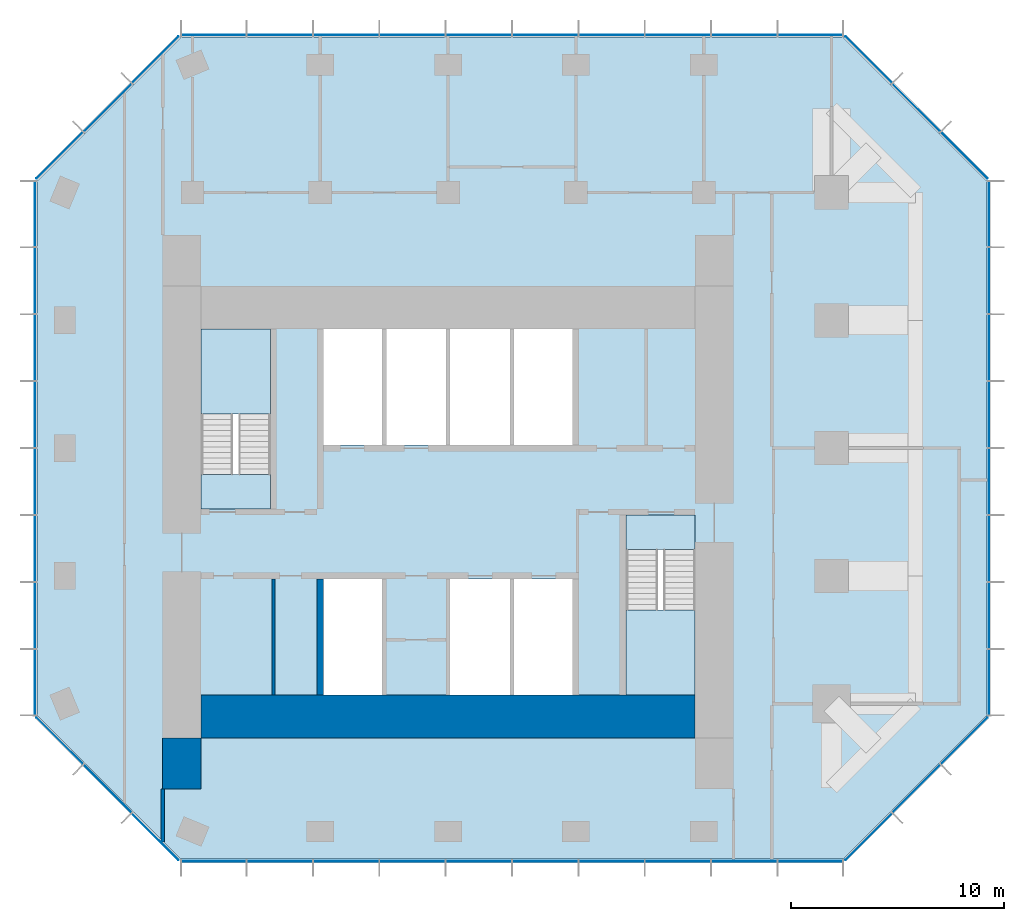
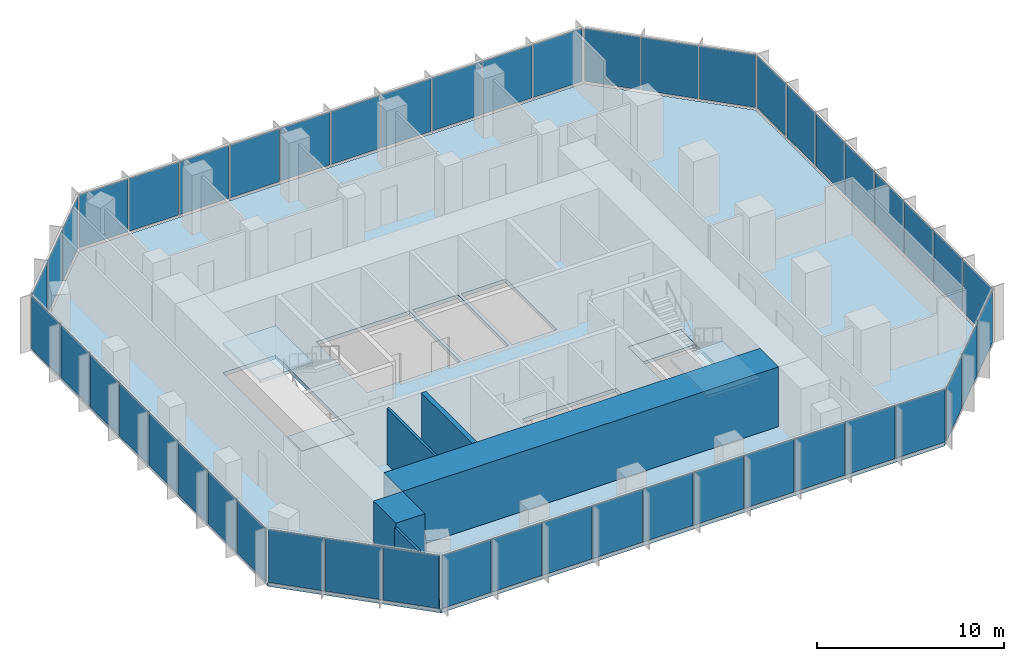
# One storey, part 7 of 10: 48 plates, 5 slabs, 5 walls, 10 elements without a shape of their own.
"""IFC4 building model written with IfcOpenShell, lengths in metres."""

from ifc_helpers import new_model, si_unit, direction, frame, frame_2d, origin, origin_2d, place, context, subcontext, project, spatial, polyline, rectangle, outline, extrude, material, layer, layer_set, type_object, element, aggregate, save


model = new_model("IFC4")

# Units and contexts
model_context = context("Model", 3, precision=1e-05, world=origin(), true_north=direction((0.0, 1.0)))
body_context = subcontext(model_context, "Body", "Model", "MODEL_VIEW")
ifc_project = project(units=[si_unit("LENGTHUNIT", "METRE"), si_unit("AREAUNIT", "SQUARE_METRE"), si_unit("VOLUMEUNIT", "CUBIC_METRE"), si_unit("PLANEANGLEUNIT", "RADIAN"), si_unit("MASSUNIT", "GRAM", prefix="KILO")], contexts=[model_context])

# Site, building, storey
site_placement = place(None, origin())
site = spatial("IfcSite", under=ifc_project, at=site_placement, CompositionType="ELEMENT")
building_placement = place(site_placement, origin())
building = spatial("IfcBuilding", under=site, at=building_placement, Name="Highveld Stack Headquarters", CompositionType="ELEMENT")
storey_placement = place(building_placement, frame((0.0, 0.0, 245.0)))
storey = spatial("IfcBuildingStorey", under=building, at=storey_placement, Name="L60", CompositionType="ELEMENT", Elevation=245.0)

# Curtain wall, plates
ifc_material_1 = material(Name="Aluminium bronze anodised", Category="aluminium")
ifc_layer_1 = layer(ifc_material_1, 0.199951171875)
ifc_layer_set_1 = layer_set([ifc_layer_1], Name="Aluminium bronze anodised")
curtain_wall_type = type_object("IfcCurtainWallType", Name="CW6 SKY LOBBY UNITISED CURTAIN WALL", PredefinedType="NOTDEFINED", material=ifc_layer_set_1)
curtain_wall_1_placement = place(storey_placement, origin())
curtain_wall_1 = element("IfcCurtainWall", 1, at=curtain_wall_1_placement, inside=storey, type_object=curtain_wall_type, Name="Curtain wall CW6 L60 S", PredefinedType="NOTDEFINED")
ifc_material_2 = material(Name="Glass clear low-iron double glazed unit", Category="glass")
ifc_layer_2 = layer(ifc_material_2, 0.031982421875)
ifc_layer_set_2 = layer_set([ifc_layer_2], Name="Glass clear low-iron double glazed unit")
plate_type = type_object("IfcPlateType", Name="CW6 PANEL CLEAR LOW-IRON DOUBLE GLAZED UNIT", PredefinedType="CURTAIN_PANEL", material=ifc_layer_set_2)
plate_1_placement = place(storey_placement, frame((-5.005615234375, -13.39990234375, 0.10009765625), z_axis=(0.0, 0.0, 1.0), x_axis=(1.0, 0.0, 0.0)))
plate_1 = element("IfcPlate", 2, at=plate_1_placement, type_object=plate_type, Name="CW6 panel L60 1.1", PredefinedType="CURTAIN_PANEL", context=body_context, shape_type="SweptSolid", body=[
    extrude(rectangle(XDim=3.0185546875, YDim=0.031982421875, at=origin_2d()), origin(), (0.0, 0.0, 1.0), 3.449951171875),
])
plate_2_placement = place(storey_placement, frame((-1.906005859375, -13.39990234375, 0.10009765625), z_axis=(0.0, 0.0, 1.0), x_axis=(1.0, 0.0, 0.0)))
plate_2 = element("IfcPlate", 3, at=plate_2_placement, type_object=plate_type, Name="CW6 panel L60 2.1", PredefinedType="CURTAIN_PANEL", context=body_context, shape_type="SweptSolid", body=[
    extrude(rectangle(XDim=3.051025390625, YDim=0.031982421875, at=origin_2d()), origin(), (0.0, 0.0, 1.0), 3.449951171875),
])
plate_3_placement = place(storey_placement, frame((1.2099609375, -13.39990234375, 0.10009765625), z_axis=(0.0, 0.0, 1.0), x_axis=(1.0, 0.0, 0.0)))
plate_3 = element("IfcPlate", 4, at=plate_3_placement, type_object=plate_type, Name="CW6 panel L60 3.1", PredefinedType="CURTAIN_PANEL", context=body_context, shape_type="SweptSolid", body=[
    extrude(rectangle(XDim=3.051025390625, YDim=0.031982421875, at=origin_2d()), origin(), (0.0, 0.0, 1.0), 3.449951171875),
])
plate_4_placement = place(storey_placement, frame((4.325927734375, -13.39990234375, 0.10009765625), z_axis=(0.0, 0.0, 1.0), x_axis=(1.0, 0.0, 0.0)))
plate_4 = element("IfcPlate", 5, at=plate_4_placement, type_object=plate_type, Name="CW6 panel L60 4.1", PredefinedType="CURTAIN_PANEL", context=body_context, shape_type="SweptSolid", body=[
    extrude(rectangle(XDim=3.051025390625, YDim=0.031982421875, at=origin_2d()), origin(), (0.0, 0.0, 1.0), 3.449951171875),
])
plate_5_placement = place(storey_placement, frame((7.44189453125, -13.39990234375, 0.10009765625), z_axis=(0.0, 0.0, 1.0), x_axis=(1.0, 0.0, 0.0)))
plate_5 = element("IfcPlate", 6, at=plate_5_placement, type_object=plate_type, Name="CW6 panel L60 5.1", PredefinedType="CURTAIN_PANEL", context=body_context, shape_type="SweptSolid", body=[
    extrude(rectangle(XDim=3.051025390625, YDim=0.031982421875, at=origin_2d()), origin(), (0.0, 0.0, 1.0), 3.449951171875),
])
plate_6_placement = place(storey_placement, frame((10.55810546875, -13.39990234375, 0.10009765625), z_axis=(0.0, 0.0, 1.0), x_axis=(1.0, 0.0, 0.0)))
plate_6 = element("IfcPlate", 7, at=plate_6_placement, type_object=plate_type, Name="CW6 panel L60 6.1", PredefinedType="CURTAIN_PANEL", context=body_context, shape_type="SweptSolid", body=[
    extrude(rectangle(XDim=3.051025390625, YDim=0.031982421875, at=origin_2d()), origin(), (0.0, 0.0, 1.0), 3.449951171875),
])
plate_7_placement = place(storey_placement, frame((13.674072265625, -13.39990234375, 0.10009765625), z_axis=(0.0, 0.0, 1.0), x_axis=(1.0, 0.0, 0.0)))
plate_7 = element("IfcPlate", 8, at=plate_7_placement, type_object=plate_type, Name="CW6 panel L60 7.1", PredefinedType="CURTAIN_PANEL", context=body_context, shape_type="SweptSolid", body=[
    extrude(rectangle(XDim=3.051025390625, YDim=0.031982421875, at=origin_2d()), origin(), (0.0, 0.0, 1.0), 3.449951171875),
])
plate_8_placement = place(storey_placement, frame((16.789794921875, -13.39990234375, 0.10009765625), z_axis=(0.0, 0.0, 1.0), x_axis=(1.0, 0.0, 0.0)))
plate_8 = element("IfcPlate", 9, at=plate_8_placement, type_object=plate_type, Name="CW6 panel L60 8.1", PredefinedType="CURTAIN_PANEL", context=body_context, shape_type="SweptSolid", body=[
    extrude(rectangle(XDim=3.051025390625, YDim=0.031982421875, at=origin_2d()), origin(), (0.0, 0.0, 1.0), 3.449951171875),
])
plate_9_placement = place(storey_placement, frame((19.906005859375, -13.39990234375, 0.10009765625), z_axis=(0.0, 0.0, 1.0), x_axis=(1.0, 0.0, 0.0)))
plate_9 = element("IfcPlate", 10, at=plate_9_placement, type_object=plate_type, Name="CW6 panel L60 9.1", PredefinedType="CURTAIN_PANEL", context=body_context, shape_type="SweptSolid", body=[
    extrude(rectangle(XDim=3.051025390625, YDim=0.031982421875, at=origin_2d()), origin(), (0.0, 0.0, 1.0), 3.449951171875),
])
plate_10_placement = place(storey_placement, frame((23.005615234375, -13.39990234375, 0.10009765625), z_axis=(0.0, 0.0, 1.0), x_axis=(1.0, 0.0, 0.0)))
plate_10 = element("IfcPlate", 11, at=plate_10_placement, type_object=plate_type, Name="CW6 panel L60 10.1", PredefinedType="CURTAIN_PANEL", context=body_context, shape_type="SweptSolid", body=[
    extrude(rectangle(XDim=3.0185546875, YDim=0.031982421875, at=origin_2d()), origin(), (0.0, 0.0, 1.0), 3.449951171875),
])
aggregate(curtain_wall_1, [plate_1, plate_2, plate_3, plate_4, plate_5, plate_6, plate_7, plate_8, plate_9, plate_10])

curtain_wall_2_placement = place(storey_placement, origin())
curtain_wall_2 = element("IfcCurtainWall", 12, at=curtain_wall_2_placement, inside=storey, type_object=curtain_wall_type, Name="Curtain wall CW6 L60 SE", PredefinedType="NOTDEFINED")
plate_11_placement = place(storey_placement, frame((25.740478515625, -12.239501953125, 0.10009765625), z_axis=(0.0, 0.0, 1.0), x_axis=(0.707106781187, 0.707106781187, 0.0)))
plate_11 = element("IfcPlate", 13, at=plate_11_placement, type_object=plate_type, Name="CW6 panel L60 1.1", PredefinedType="CURTAIN_PANEL", context=body_context, shape_type="SweptSolid", body=[
    extrude(rectangle(XDim=3.08251953125, YDim=0.031982421875, at=origin_2d()), origin(), (0.0, 0.0, 1.0), 3.449951171875),
])
plate_12_placement = place(storey_placement, frame((27.989990234375, -9.989990234375, 0.10009765625), z_axis=(0.0, 0.0, 1.0), x_axis=(0.707106781187, 0.707106781187, 0.0)))
plate_12 = element("IfcPlate", 14, at=plate_12_placement, type_object=plate_type, Name="CW6 panel L60 2.1", PredefinedType="CURTAIN_PANEL", context=body_context, shape_type="SweptSolid", body=[
    extrude(rectangle(XDim=3.14990234375, YDim=0.031982421875, at=origin_2d()), origin(), (0.0, 0.0, 1.0), 3.449951171875),
])
plate_13_placement = place(storey_placement, frame((30.239501953125, -7.740478515625, 0.10009765625), z_axis=(0.0, 0.0, 1.0), x_axis=(0.707106781187, 0.707106781187, 0.0)))
plate_13 = element("IfcPlate", 15, at=plate_13_placement, type_object=plate_type, Name="CW6 panel L60 3.1", PredefinedType="CURTAIN_PANEL", context=body_context, shape_type="SweptSolid", body=[
    extrude(rectangle(XDim=3.08251953125, YDim=0.031982421875, at=origin_2d()), origin(), (0.0, 0.0, 1.0), 3.449951171875),
])
aggregate(curtain_wall_2, [plate_11, plate_12, plate_13])

curtain_wall_3_placement = place(storey_placement, origin())
curtain_wall_3 = element("IfcCurtainWall", 16, at=curtain_wall_3_placement, inside=storey, type_object=curtain_wall_type, Name="Curtain wall CW6 L60 E", PredefinedType="NOTDEFINED")
plate_14_placement = place(storey_placement, frame((31.39990234375, -4.9912109375, 0.10009765625), z_axis=(0.0, 0.0, 1.0), x_axis=(0.0, 1.0, 0.0)))
plate_14 = element("IfcPlate", 17, at=plate_14_placement, type_object=plate_type, Name="CW6 panel L60 1.1", PredefinedType="CURTAIN_PANEL", context=body_context, shape_type="SweptSolid", body=[
    extrude(rectangle(XDim=3.047607421875, YDim=0.031982421875, at=origin_2d()), origin(), (0.0, 0.0, 1.0), 3.449951171875),
])
plate_15_placement = place(storey_placement, frame((31.39990234375, -1.8623046875, 0.10009765625), z_axis=(0.0, 0.0, 1.0), x_axis=(0.0, 1.0, 0.0)))
plate_15 = element("IfcPlate", 18, at=plate_15_placement, type_object=plate_type, Name="CW6 panel L60 2.1", PredefinedType="CURTAIN_PANEL", context=body_context, shape_type="SweptSolid", body=[
    extrude(rectangle(XDim=3.080078125, YDim=0.031982421875, at=origin_2d()), origin(), (0.0, 0.0, 1.0), 3.449951171875),
])
plate_16_placement = place(storey_placement, frame((31.39990234375, 1.282470703125, 0.10009765625), z_axis=(0.0, 0.0, 1.0), x_axis=(0.0, 1.0, 0.0)))
plate_16 = element("IfcPlate", 19, at=plate_16_placement, type_object=plate_type, Name="CW6 panel L60 3.1", PredefinedType="CURTAIN_PANEL", context=body_context, shape_type="SweptSolid", body=[
    extrude(rectangle(XDim=3.080078125, YDim=0.031982421875, at=origin_2d()), origin(), (0.0, 0.0, 1.0), 3.449951171875),
])
plate_17_placement = place(storey_placement, frame((31.39990234375, 4.427490234375, 0.10009765625), z_axis=(0.0, 0.0, 1.0), x_axis=(0.0, 1.0, 0.0)))
plate_17 = element("IfcPlate", 20, at=plate_17_placement, type_object=plate_type, Name="CW6 panel L60 4.1", PredefinedType="CURTAIN_PANEL", context=body_context, shape_type="SweptSolid", body=[
    extrude(rectangle(XDim=3.080078125, YDim=0.031982421875, at=origin_2d()), origin(), (0.0, 0.0, 1.0), 3.449951171875),
])
plate_18_placement = place(storey_placement, frame((31.39990234375, 7.572509765625, 0.10009765625), z_axis=(0.0, 0.0, 1.0), x_axis=(0.0, 1.0, 0.0)))
plate_18 = element("IfcPlate", 21, at=plate_18_placement, type_object=plate_type, Name="CW6 panel L60 5.1", PredefinedType="CURTAIN_PANEL", context=body_context, shape_type="SweptSolid", body=[
    extrude(rectangle(XDim=3.080078125, YDim=0.031982421875, at=origin_2d()), origin(), (0.0, 0.0, 1.0), 3.449951171875),
])
plate_19_placement = place(storey_placement, frame((31.39990234375, 10.717529296875, 0.10009765625), z_axis=(0.0, 0.0, 1.0), x_axis=(0.0, 1.0, 0.0)))
plate_19 = element("IfcPlate", 22, at=plate_19_placement, type_object=plate_type, Name="CW6 panel L60 6.1", PredefinedType="CURTAIN_PANEL", context=body_context, shape_type="SweptSolid", body=[
    extrude(rectangle(XDim=3.080078125, YDim=0.031982421875, at=origin_2d()), origin(), (0.0, 0.0, 1.0), 3.449951171875),
])
plate_20_placement = place(storey_placement, frame((31.39990234375, 13.8623046875, 0.10009765625), z_axis=(0.0, 0.0, 1.0), x_axis=(0.0, 1.0, 0.0)))
plate_20 = element("IfcPlate", 23, at=plate_20_placement, type_object=plate_type, Name="CW6 panel L60 7.1", PredefinedType="CURTAIN_PANEL", context=body_context, shape_type="SweptSolid", body=[
    extrude(rectangle(XDim=3.080078125, YDim=0.031982421875, at=origin_2d()), origin(), (0.0, 0.0, 1.0), 3.449951171875),
])
plate_21_placement = place(storey_placement, frame((31.39990234375, 16.9912109375, 0.10009765625), z_axis=(0.0, 0.0, 1.0), x_axis=(0.0, 1.0, 0.0)))
plate_21 = element("IfcPlate", 24, at=plate_21_placement, type_object=plate_type, Name="CW6 panel L60 8.1", PredefinedType="CURTAIN_PANEL", context=body_context, shape_type="SweptSolid", body=[
    extrude(rectangle(XDim=3.047607421875, YDim=0.031982421875, at=origin_2d()), origin(), (0.0, 0.0, 1.0), 3.449951171875),
])
aggregate(curtain_wall_3, [plate_14, plate_15, plate_16, plate_17, plate_18, plate_19, plate_20, plate_21])

curtain_wall_4_placement = place(storey_placement, origin())
curtain_wall_4 = element("IfcCurtainWall", 25, at=curtain_wall_4_placement, inside=storey, type_object=curtain_wall_type, Name="Curtain wall CW6 L60 NE", PredefinedType="NOTDEFINED")
plate_22_placement = place(storey_placement, frame((30.239501953125, 19.740478515625, 0.10009765625), z_axis=(0.0, 0.0, 1.0), x_axis=(-0.707106781187, 0.707106781187, 0.0)))
plate_22 = element("IfcPlate", 26, at=plate_22_placement, type_object=plate_type, Name="CW6 panel L60 1.1", PredefinedType="CURTAIN_PANEL", context=body_context, shape_type="SweptSolid", body=[
    extrude(rectangle(XDim=3.08251953125, YDim=0.031982421875, at=origin_2d()), origin(), (0.0, 0.0, 1.0), 3.449951171875),
])
plate_23_placement = place(storey_placement, frame((27.989990234375, 21.989990234375, 0.10009765625), z_axis=(0.0, 0.0, 1.0), x_axis=(-0.707106781187, 0.707106781187, 0.0)))
plate_23 = element("IfcPlate", 27, at=plate_23_placement, type_object=plate_type, Name="CW6 panel L60 2.1", PredefinedType="CURTAIN_PANEL", context=body_context, shape_type="SweptSolid", body=[
    extrude(rectangle(XDim=3.14990234375, YDim=0.031982421875, at=origin_2d()), origin(), (0.0, 0.0, 1.0), 3.449951171875),
])
plate_24_placement = place(storey_placement, frame((25.740478515625, 24.239501953125, 0.10009765625), z_axis=(0.0, 0.0, 1.0), x_axis=(-0.707106781187, 0.707106781187, 0.0)))
plate_24 = element("IfcPlate", 28, at=plate_24_placement, type_object=plate_type, Name="CW6 panel L60 3.1", PredefinedType="CURTAIN_PANEL", context=body_context, shape_type="SweptSolid", body=[
    extrude(rectangle(XDim=3.08251953125, YDim=0.031982421875, at=origin_2d()), origin(), (0.0, 0.0, 1.0), 3.449951171875),
])
aggregate(curtain_wall_4, [plate_22, plate_23, plate_24])

curtain_wall_5_placement = place(storey_placement, origin())
curtain_wall_5 = element("IfcCurtainWall", 29, at=curtain_wall_5_placement, inside=storey, type_object=curtain_wall_type, Name="Curtain wall CW6 L60 N", PredefinedType="NOTDEFINED")
plate_25_placement = place(storey_placement, frame((23.005615234375, 25.39990234375, 0.10009765625), z_axis=(0.0, 0.0, 1.0), x_axis=(-1.0, 0.0, 0.0)))
plate_25 = element("IfcPlate", 30, at=plate_25_placement, type_object=plate_type, Name="CW6 panel L60 1.1", PredefinedType="CURTAIN_PANEL", context=body_context, shape_type="SweptSolid", body=[
    extrude(rectangle(XDim=3.0185546875, YDim=0.031982421875, at=origin_2d()), origin(), (0.0, 0.0, 1.0), 3.449951171875),
])
plate_26_placement = place(storey_placement, frame((19.906005859375, 25.39990234375, 0.10009765625), z_axis=(0.0, 0.0, 1.0), x_axis=(-1.0, 0.0, 0.0)))
plate_26 = element("IfcPlate", 31, at=plate_26_placement, type_object=plate_type, Name="CW6 panel L60 2.1", PredefinedType="CURTAIN_PANEL", context=body_context, shape_type="SweptSolid", body=[
    extrude(rectangle(XDim=3.051025390625, YDim=0.031982421875, at=origin_2d()), origin(), (0.0, 0.0, 1.0), 3.449951171875),
])
plate_27_placement = place(storey_placement, frame((16.7900390625, 25.39990234375, 0.10009765625), z_axis=(0.0, 0.0, 1.0), x_axis=(-1.0, 0.0, 0.0)))
plate_27 = element("IfcPlate", 32, at=plate_27_placement, type_object=plate_type, Name="CW6 panel L60 3.1", PredefinedType="CURTAIN_PANEL", context=body_context, shape_type="SweptSolid", body=[
    extrude(rectangle(XDim=3.051025390625, YDim=0.031982421875, at=origin_2d()), origin(), (0.0, 0.0, 1.0), 3.449951171875),
])
plate_28_placement = place(storey_placement, frame((13.674072265625, 25.39990234375, 0.10009765625), z_axis=(0.0, 0.0, 1.0), x_axis=(-1.0, 0.0, 0.0)))
plate_28 = element("IfcPlate", 33, at=plate_28_placement, type_object=plate_type, Name="CW6 panel L60 4.1", PredefinedType="CURTAIN_PANEL", context=body_context, shape_type="SweptSolid", body=[
    extrude(rectangle(XDim=3.051025390625, YDim=0.031982421875, at=origin_2d()), origin(), (0.0, 0.0, 1.0), 3.449951171875),
])
plate_29_placement = place(storey_placement, frame((10.55810546875, 25.39990234375, 0.10009765625), z_axis=(0.0, 0.0, 1.0), x_axis=(-1.0, 0.0, 0.0)))
plate_29 = element("IfcPlate", 34, at=plate_29_placement, type_object=plate_type, Name="CW6 panel L60 5.1", PredefinedType="CURTAIN_PANEL", context=body_context, shape_type="SweptSolid", body=[
    extrude(rectangle(XDim=3.051025390625, YDim=0.031982421875, at=origin_2d()), origin(), (0.0, 0.0, 1.0), 3.449951171875),
])
plate_30_placement = place(storey_placement, frame((7.44189453125, 25.39990234375, 0.10009765625), z_axis=(0.0, 0.0, 1.0), x_axis=(-1.0, 0.0, 0.0)))
plate_30 = element("IfcPlate", 35, at=plate_30_placement, type_object=plate_type, Name="CW6 panel L60 6.1", PredefinedType="CURTAIN_PANEL", context=body_context, shape_type="SweptSolid", body=[
    extrude(rectangle(XDim=3.051025390625, YDim=0.031982421875, at=origin_2d()), origin(), (0.0, 0.0, 1.0), 3.449951171875),
])
plate_31_placement = place(storey_placement, frame((4.325927734375, 25.39990234375, 0.10009765625), z_axis=(0.0, 0.0, 1.0), x_axis=(-1.0, 0.0, 0.0)))
plate_31 = element("IfcPlate", 36, at=plate_31_placement, type_object=plate_type, Name="CW6 panel L60 7.1", PredefinedType="CURTAIN_PANEL", context=body_context, shape_type="SweptSolid", body=[
    extrude(rectangle(XDim=3.051025390625, YDim=0.031982421875, at=origin_2d()), origin(), (0.0, 0.0, 1.0), 3.449951171875),
])
plate_32_placement = place(storey_placement, frame((1.210205078125, 25.39990234375, 0.10009765625), z_axis=(0.0, 0.0, 1.0), x_axis=(-1.0, 0.0, 0.0)))
plate_32 = element("IfcPlate", 37, at=plate_32_placement, type_object=plate_type, Name="CW6 panel L60 8.1", PredefinedType="CURTAIN_PANEL", context=body_context, shape_type="SweptSolid", body=[
    extrude(rectangle(XDim=3.051025390625, YDim=0.031982421875, at=origin_2d()), origin(), (0.0, 0.0, 1.0), 3.449951171875),
])
plate_33_placement = place(storey_placement, frame((-1.906005859375, 25.39990234375, 0.10009765625), z_axis=(0.0, 0.0, 1.0), x_axis=(-1.0, 0.0, 0.0)))
plate_33 = element("IfcPlate", 38, at=plate_33_placement, type_object=plate_type, Name="CW6 panel L60 9.1", PredefinedType="CURTAIN_PANEL", context=body_context, shape_type="SweptSolid", body=[
    extrude(rectangle(XDim=3.051025390625, YDim=0.031982421875, at=origin_2d()), origin(), (0.0, 0.0, 1.0), 3.449951171875),
])
plate_34_placement = place(storey_placement, frame((-5.005615234375, 25.39990234375, 0.10009765625), z_axis=(0.0, 0.0, 1.0), x_axis=(-1.0, 0.0, 0.0)))
plate_34 = element("IfcPlate", 39, at=plate_34_placement, type_object=plate_type, Name="CW6 panel L60 10.1", PredefinedType="CURTAIN_PANEL", context=body_context, shape_type="SweptSolid", body=[
    extrude(rectangle(XDim=3.0185546875, YDim=0.031982421875, at=origin_2d()), origin(), (0.0, 0.0, 1.0), 3.449951171875),
])
aggregate(curtain_wall_5, [plate_25, plate_26, plate_27, plate_28, plate_29, plate_30, plate_31, plate_32, plate_33, plate_34])

curtain_wall_6_placement = place(storey_placement, origin())
curtain_wall_6 = element("IfcCurtainWall", 40, at=curtain_wall_6_placement, inside=storey, type_object=curtain_wall_type, Name="Curtain wall CW6 L60 NW", PredefinedType="NOTDEFINED")
plate_35_placement = place(storey_placement, frame((-7.740478515625, 24.239501953125, 0.10009765625), z_axis=(0.0, 0.0, 1.0), x_axis=(-0.707106781187, -0.707106781187, 0.0)))
plate_35 = element("IfcPlate", 41, at=plate_35_placement, type_object=plate_type, Name="CW6 panel L60 1.1", PredefinedType="CURTAIN_PANEL", context=body_context, shape_type="SweptSolid", body=[
    extrude(rectangle(XDim=3.08251953125, YDim=0.031982421875, at=origin_2d()), origin(), (0.0, 0.0, 1.0), 3.449951171875),
])
plate_36_placement = place(storey_placement, frame((-9.989990234375, 21.989990234375, 0.10009765625), z_axis=(0.0, 0.0, 1.0), x_axis=(-0.707106781187, -0.707106781187, 0.0)))
plate_36 = element("IfcPlate", 42, at=plate_36_placement, type_object=plate_type, Name="CW6 panel L60 2.1", PredefinedType="CURTAIN_PANEL", context=body_context, shape_type="SweptSolid", body=[
    extrude(rectangle(XDim=3.14990234375, YDim=0.031982421875, at=origin_2d()), origin(), (0.0, 0.0, 1.0), 3.449951171875),
])
plate_37_placement = place(storey_placement, frame((-12.239501953125, 19.740478515625, 0.10009765625), z_axis=(0.0, 0.0, 1.0), x_axis=(-0.707106781187, -0.707106781187, 0.0)))
plate_37 = element("IfcPlate", 43, at=plate_37_placement, type_object=plate_type, Name="CW6 panel L60 3.1", PredefinedType="CURTAIN_PANEL", context=body_context, shape_type="SweptSolid", body=[
    extrude(rectangle(XDim=3.08251953125, YDim=0.031982421875, at=origin_2d()), origin(), (0.0, 0.0, 1.0), 3.449951171875),
])
aggregate(curtain_wall_6, [plate_35, plate_36, plate_37])

curtain_wall_7_placement = place(storey_placement, origin())
curtain_wall_7 = element("IfcCurtainWall", 44, at=curtain_wall_7_placement, inside=storey, type_object=curtain_wall_type, Name="Curtain wall CW6 L60 W", PredefinedType="NOTDEFINED")
plate_38_placement = place(storey_placement, frame((-13.39990234375, 16.9912109375, 0.10009765625), z_axis=(0.0, 0.0, 1.0), x_axis=(0.0, -1.0, 0.0)))
plate_38 = element("IfcPlate", 45, at=plate_38_placement, type_object=plate_type, Name="CW6 panel L60 1.1", PredefinedType="CURTAIN_PANEL", context=body_context, shape_type="SweptSolid", body=[
    extrude(rectangle(XDim=3.047607421875, YDim=0.031982421875, at=origin_2d()), origin(), (0.0, 0.0, 1.0), 3.449951171875),
])
plate_39_placement = place(storey_placement, frame((-13.39990234375, 13.8623046875, 0.10009765625), z_axis=(0.0, 0.0, 1.0), x_axis=(0.0, -1.0, 0.0)))
plate_39 = element("IfcPlate", 46, at=plate_39_placement, type_object=plate_type, Name="CW6 panel L60 2.1", PredefinedType="CURTAIN_PANEL", context=body_context, shape_type="SweptSolid", body=[
    extrude(rectangle(XDim=3.080078125, YDim=0.031982421875, at=origin_2d()), origin(), (0.0, 0.0, 1.0), 3.449951171875),
])
plate_40_placement = place(storey_placement, frame((-13.39990234375, 10.717529296875, 0.10009765625), z_axis=(0.0, 0.0, 1.0), x_axis=(0.0, -1.0, 0.0)))
plate_40 = element("IfcPlate", 47, at=plate_40_placement, type_object=plate_type, Name="CW6 panel L60 3.1", PredefinedType="CURTAIN_PANEL", context=body_context, shape_type="SweptSolid", body=[
    extrude(rectangle(XDim=3.080078125, YDim=0.031982421875, at=origin_2d()), origin(), (0.0, 0.0, 1.0), 3.449951171875),
])
plate_41_placement = place(storey_placement, frame((-13.39990234375, 7.572509765625, 0.10009765625), z_axis=(0.0, 0.0, 1.0), x_axis=(0.0, -1.0, 0.0)))
plate_41 = element("IfcPlate", 48, at=plate_41_placement, type_object=plate_type, Name="CW6 panel L60 4.1", PredefinedType="CURTAIN_PANEL", context=body_context, shape_type="SweptSolid", body=[
    extrude(rectangle(XDim=3.080078125, YDim=0.031982421875, at=origin_2d()), origin(), (0.0, 0.0, 1.0), 3.449951171875),
])
plate_42_placement = place(storey_placement, frame((-13.39990234375, 4.427490234375, 0.10009765625), z_axis=(0.0, 0.0, 1.0), x_axis=(0.0, -1.0, 0.0)))
plate_42 = element("IfcPlate", 49, at=plate_42_placement, type_object=plate_type, Name="CW6 panel L60 5.1", PredefinedType="CURTAIN_PANEL", context=body_context, shape_type="SweptSolid", body=[
    extrude(rectangle(XDim=3.080078125, YDim=0.031982421875, at=origin_2d()), origin(), (0.0, 0.0, 1.0), 3.449951171875),
])
plate_43_placement = place(storey_placement, frame((-13.39990234375, 1.282470703125, 0.10009765625), z_axis=(0.0, 0.0, 1.0), x_axis=(0.0, -1.0, 0.0)))
plate_43 = element("IfcPlate", 50, at=plate_43_placement, type_object=plate_type, Name="CW6 panel L60 6.1", PredefinedType="CURTAIN_PANEL", context=body_context, shape_type="SweptSolid", body=[
    extrude(rectangle(XDim=3.080078125, YDim=0.031982421875, at=origin_2d()), origin(), (0.0, 0.0, 1.0), 3.449951171875),
])
plate_44_placement = place(storey_placement, frame((-13.39990234375, -1.8623046875, 0.10009765625), z_axis=(0.0, 0.0, 1.0), x_axis=(0.0, -1.0, 0.0)))
plate_44 = element("IfcPlate", 51, at=plate_44_placement, type_object=plate_type, Name="CW6 panel L60 7.1", PredefinedType="CURTAIN_PANEL", context=body_context, shape_type="SweptSolid", body=[
    extrude(rectangle(XDim=3.080078125, YDim=0.031982421875, at=origin_2d()), origin(), (0.0, 0.0, 1.0), 3.449951171875),
])
plate_45_placement = place(storey_placement, frame((-13.39990234375, -4.9912109375, 0.10009765625), z_axis=(0.0, 0.0, 1.0), x_axis=(0.0, -1.0, 0.0)))
plate_45 = element("IfcPlate", 52, at=plate_45_placement, type_object=plate_type, Name="CW6 panel L60 8.1", PredefinedType="CURTAIN_PANEL", context=body_context, shape_type="SweptSolid", body=[
    extrude(rectangle(XDim=3.047607421875, YDim=0.031982421875, at=origin_2d()), origin(), (0.0, 0.0, 1.0), 3.449951171875),
])
aggregate(curtain_wall_7, [plate_38, plate_39, plate_40, plate_41, plate_42, plate_43, plate_44, plate_45])

curtain_wall_8_placement = place(storey_placement, origin())
curtain_wall_8 = element("IfcCurtainWall", 53, at=curtain_wall_8_placement, inside=storey, type_object=curtain_wall_type, Name="Curtain wall CW6 L60 SW", PredefinedType="NOTDEFINED")
plate_46_placement = place(storey_placement, frame((-12.239501953125, -7.740478515625, 0.10009765625), z_axis=(0.0, 0.0, 1.0), x_axis=(0.707106781187, -0.707106781187, 0.0)))
plate_46 = element("IfcPlate", 54, at=plate_46_placement, type_object=plate_type, Name="CW6 panel L60 1.1", PredefinedType="CURTAIN_PANEL", context=body_context, shape_type="SweptSolid", body=[
    extrude(rectangle(XDim=3.08251953125, YDim=0.031982421875, at=origin_2d()), origin(), (0.0, 0.0, 1.0), 3.449951171875),
])
plate_47_placement = place(storey_placement, frame((-9.989990234375, -9.989990234375, 0.10009765625), z_axis=(0.0, 0.0, 1.0), x_axis=(0.707106781187, -0.707106781187, 0.0)))
plate_47 = element("IfcPlate", 55, at=plate_47_placement, type_object=plate_type, Name="CW6 panel L60 2.1", PredefinedType="CURTAIN_PANEL", context=body_context, shape_type="SweptSolid", body=[
    extrude(rectangle(XDim=3.14990234375, YDim=0.031982421875, at=origin_2d()), origin(), (0.0, 0.0, 1.0), 3.449951171875),
])
plate_48_placement = place(storey_placement, frame((-7.740478515625, -12.239501953125, 0.10009765625), z_axis=(0.0, 0.0, 1.0), x_axis=(0.707106781187, -0.707106781187, 0.0)))
plate_48 = element("IfcPlate", 56, at=plate_48_placement, type_object=plate_type, Name="CW6 panel L60 3.1", PredefinedType="CURTAIN_PANEL", context=body_context, shape_type="SweptSolid", body=[
    extrude(rectangle(XDim=3.08251953125, YDim=0.031982421875, at=origin_2d()), origin(), (0.0, 0.0, 1.0), 3.449951171875),
])
aggregate(curtain_wall_8, [plate_46, plate_47, plate_48])

# Slab
ifc_material_3 = material(Name="Concrete C60/75", Category="concrete")
ifc_layer_3 = layer(ifc_material_3, 0.25)
ifc_layer_set_3 = layer_set([ifc_layer_3], Name="Concrete C60/75")
slab_type_1 = type_object("IfcSlabType", Name="PT FLAT SLAB 250", PredefinedType="FLOOR", material=ifc_layer_set_3)
slab_1_placement = place(storey_placement, frame((0.0, 0.0, -0.25)))
element("IfcSlab", 57, at=slab_1_placement, inside=storey, type_object=slab_type_1, Name="Floor slab L60", PredefinedType="FLOOR", context=body_context, shape_type="SweptSolid", body=[
    extrude(outline(polyline([(-6.53857421875, -13.300048828125), (24.53857421875, -13.300048828125), (31.300048828125, -6.53857421875), (31.300048828125, 18.53857421875), (24.53857421875, 25.300048828125), (-6.53857421875, 25.300048828125), (-13.300048828125, 18.53857421875), (-13.300048828125, -6.53857421875), (-6.53857421875, -13.300048828125)]), holes=[polyline([(0.14990234375, 6.14990234375), (5.89990234375, 6.14990234375), (5.89990234375, 11.60009765625), (0.14990234375, 11.60009765625), (0.14990234375, 6.14990234375)]), polyline([(9.10009765625, 6.14990234375), (11.85009765625, 6.14990234375), (11.85009765625, 11.60009765625), (9.10009765625, 11.60009765625), (9.10009765625, 6.14990234375)]), polyline([(6.10009765625, 6.14990234375), (8.89990234375, 6.14990234375), (8.89990234375, 11.60009765625), (6.10009765625, 11.60009765625), (6.10009765625, 6.14990234375)]), polyline([(6.10009765625, -5.60009765625), (11.85009765625, -5.60009765625), (11.85009765625, -0.14990234375), (6.10009765625, -0.14990234375), (6.10009765625, -5.60009765625)]), polyline([(0.14990234375, -5.60009765625), (2.89990234375, -5.60009765625), (2.89990234375, -0.14990234375), (0.14990234375, -0.14990234375), (0.14990234375, -5.60009765625)]), polyline([(-5.60009765625, 3.14990234375), (-2.35009765625, 3.14990234375), (-2.35009765625, 11.60009765625), (-5.60009765625, 11.60009765625), (-5.60009765625, 3.14990234375)]), polyline([(14.35009765625, -5.60009765625), (17.60009765625, -5.60009765625), (17.60009765625, 2.85009765625), (14.35009765625, 2.85009765625), (14.35009765625, -5.60009765625)])]), origin(), (0.0, 0.0, 1.0), 0.25),
])

# Stair, slabs
ifc_material_4 = material(Name="Concrete C40/50, precast", Category="concrete")
stair_type_1 = type_object("IfcStairType", Name="STAIR S1 HALF TURN 1500", PredefinedType="HALF_TURN_STAIR", material=ifc_material_4)
stair_1_placement = place(storey_placement, origin())
stair_1 = element("IfcStair", 58, at=stair_1_placement, inside=storey, type_object=stair_type_1, Name="Stair S1 L60", PredefinedType="HALF_TURN_STAIR")
ifc_material_5 = material(Name="Concrete C40/50, precast", Category="concrete")
ifc_layer_4 = layer(ifc_material_5, 0.199951171875)
ifc_layer_set_4 = layer_set([ifc_layer_4], Name="Concrete C40/50, precast")
slab_type_2 = type_object("IfcSlabType", Name="STAIR LANDING 200", PredefinedType="LANDING", material=ifc_layer_set_4)
slab_2_placement = place(storey_placement, frame((0.0, 0.0, 1.75)))
slab_2 = element("IfcSlab", 59, at=slab_2_placement, type_object=slab_type_2, Name="S1 landing 1", PredefinedType="LANDING", context=body_context, shape_type="SweptSolid", body=[
    extrude(outline(polyline([(-5.60009765625, 7.610107421875), (-2.35009765625, 7.610107421875), (-2.35009765625, 11.60009765625), (-5.60009765625, 11.60009765625), (-5.60009765625, 7.610107421875)])), origin(), (0.0, 0.0, 1.0), 0.199951171875),
])
slab_3_placement = place(storey_placement, frame((0.0, 0.0, -0.199951171875)))
slab_3 = element("IfcSlab", 60, at=slab_3_placement, type_object=slab_type_2, Name="S1 landing 2", PredefinedType="LANDING", context=body_context, shape_type="SweptSolid", body=[
    extrude(outline(polyline([(-5.60009765625, 3.14990234375), (-2.35009765625, 3.14990234375), (-2.35009765625, 4.75), (-5.60009765625, 4.75), (-5.60009765625, 3.14990234375)])), origin(), (0.0, 0.0, 1.0), 0.199951171875),
])
aggregate(stair_1, [slab_2, slab_3])

ifc_material_6 = material(Name="Concrete C40/50, precast", Category="concrete")
stair_type_2 = type_object("IfcStairType", Name="STAIR S2 HALF TURN 1500", PredefinedType="HALF_TURN_STAIR", material=ifc_material_6)
stair_2_placement = place(storey_placement, origin())
stair_2 = element("IfcStair", 61, at=stair_2_placement, inside=storey, type_object=stair_type_2, Name="Stair S2 L60", PredefinedType="HALF_TURN_STAIR")
slab_4_placement = place(storey_placement, frame((0.0, 0.0, 1.75)))
slab_4 = element("IfcSlab", 62, at=slab_4_placement, type_object=slab_type_2, Name="S2 landing 1", PredefinedType="LANDING", context=body_context, shape_type="SweptSolid", body=[
    extrude(outline(polyline([(14.35009765625, -5.60009765625), (17.60009765625, -5.60009765625), (17.60009765625, -1.610107421875), (14.35009765625, -1.610107421875), (14.35009765625, -5.60009765625)])), origin(), (0.0, 0.0, 1.0), 0.199951171875),
])
slab_5_placement = place(storey_placement, frame((0.0, 0.0, -0.199951171875)))
slab_5 = element("IfcSlab", 63, at=slab_5_placement, type_object=slab_type_2, Name="S2 landing 2", PredefinedType="LANDING", context=body_context, shape_type="SweptSolid", body=[
    extrude(outline(polyline([(14.35009765625, 1.25), (17.60009765625, 1.25), (17.60009765625, 2.85009765625), (14.35009765625, 2.85009765625), (14.35009765625, 1.25)])), origin(), (0.0, 0.0, 1.0), 0.199951171875),
])
aggregate(stair_2, [slab_4, slab_5])

# Walls
ifc_material_7 = material(Name="Concrete C60/75", Category="concrete")
ifc_layer_5 = layer(ifc_material_7, 2.0)
ifc_layer_set_5 = layer_set([ifc_layer_5], Name="Concrete C60/75")
wall_type_1 = type_object("IfcWallType", Name="CORE WALL 2000 C60/75", PredefinedType="SHEAR", material=ifc_layer_set_5)
wall_1_placement = place(storey_placement, frame((-5.60009765625, -6.60009765625, 0.0), z_axis=(0.0, 0.0, 1.0), x_axis=(1.0, 0.0, 0.0)))
element("IfcWall", 64, at=wall_1_placement, inside=storey, type_object=wall_type_1, Name="Core wall S L60", PredefinedType="SHEAR", context=body_context, shape_type="SweptSolid", body=[
    extrude(rectangle(XDim=23.2001953125, YDim=2.0, at=frame_2d((11.60009765625, 0.0))), origin(), (0.0, 0.0, 1.0), 3.89990234375),
])
ifc_material_8 = material(Name="Concrete C60/75", Category="concrete")
ifc_layer_6 = layer(ifc_material_8, 0.300048828125)
ifc_layer_set_6 = layer_set([ifc_layer_6], Name="Concrete C60/75")
wall_type_2 = type_object("IfcWallType", Name="CORE WALL 300 C60/75", PredefinedType="SHEAR", material=ifc_layer_set_6)
wall_2_placement = place(storey_placement, frame((0.0, -5.60009765625, 0.0), z_axis=(0.0, 0.0, 1.0), x_axis=(0.0, 1.0, 0.0)))
element("IfcWall", 65, at=wall_2_placement, inside=storey, type_object=wall_type_2, Name="Core wall I-X0S L60", PredefinedType="SHEAR", context=body_context, shape_type="SweptSolid", body=[
    extrude(rectangle(XDim=5.4501953125, YDim=0.300048828125, at=frame_2d((2.72509765625, 0.0))), origin(), (0.0, 0.0, 1.0), 3.89990234375),
])
ifc_material_9 = material(Name="Concrete C60/75", Category="concrete")
ifc_layer_7 = layer(ifc_material_9, 1.800048828125)
ifc_layer_set_7 = layer_set([ifc_layer_7], Name="Concrete C60/75")
wall_type_3 = type_object("IfcWallType", Name="CORE WING WALL 1800 C60/75", PredefinedType="SHEAR", material=ifc_layer_set_7)
wall_3_placement = place(storey_placement, frame((-6.5, -10.0, 0.0), z_axis=(0.0, 0.0, 1.0), x_axis=(0.0, 1.0, 0.0)))
element("IfcWall", 66, at=wall_3_placement, inside=storey, type_object=wall_type_3, Name="Core wing wall WS L60", PredefinedType="SHEAR", context=body_context, shape_type="SweptSolid", body=[
    extrude(rectangle(XDim=2.39990234375, YDim=1.800048828125, at=frame_2d((1.199951171875, 0.0))), origin(), (0.0, 0.0, 1.0), 3.89990234375),
])
ifc_material_10 = material(Name="Gypsum plasterboard on steel studs", Category="steel")
ifc_layer_8 = layer(ifc_material_10, 0.14990234375)
ifc_layer_set_8 = layer_set([ifc_layer_8], Name="Gypsum plasterboard on steel studs")
wall_type_4 = type_object("IfcWallType", Name="PARTITION 150 PLASTERBOARD", PredefinedType="PARTITIONING", material=ifc_layer_set_8)
wall_4_placement = place(storey_placement, frame((-7.39990234375, -12.489013671875, 0.0), z_axis=(0.0, 0.0, 1.0), x_axis=(0.0, 1.0, 0.0)))
element("IfcWall", 67, at=wall_4_placement, inside=storey, type_object=wall_type_4, Name="Partition office neighbourhood L60", PredefinedType="PARTITIONING", context=body_context, shape_type="SweptSolid", body=[
    extrude(rectangle(XDim=2.489013671875, YDim=0.14990234375, at=frame_2d((1.24462890625, 0.0))), origin(), (0.0, 0.0, 1.0), 3.64990234375),
])
ifc_material_11 = material(Name="Concrete blockwork, tiled", Category="masonry")
ifc_layer_9 = layer(ifc_material_11, 0.14990234375)
ifc_layer_set_9 = layer_set([ifc_layer_9], Name="Concrete blockwork, tiled")
wall_type_5 = type_object("IfcWallType", Name="WC PARTITION 150", PredefinedType="PLUMBINGWALL", material=ifc_layer_set_9)
wall_5_placement = place(storey_placement, frame((-2.199951171875, -5.60009765625, 0.0), z_axis=(0.0, 0.0, 1.0), x_axis=(0.0, 1.0, 0.0)))
element("IfcWall", 68, at=wall_5_placement, inside=storey, type_object=wall_type_5, Name="Toilet partition L60", PredefinedType="PLUMBINGWALL", context=body_context, shape_type="SweptSolid", body=[
    extrude(rectangle(XDim=5.4501953125, YDim=0.14990234375, at=frame_2d((2.72509765625, 0.0))), origin(), (0.0, 0.0, 1.0), 3.64990234375),
])

save(model, "model.ifc")
